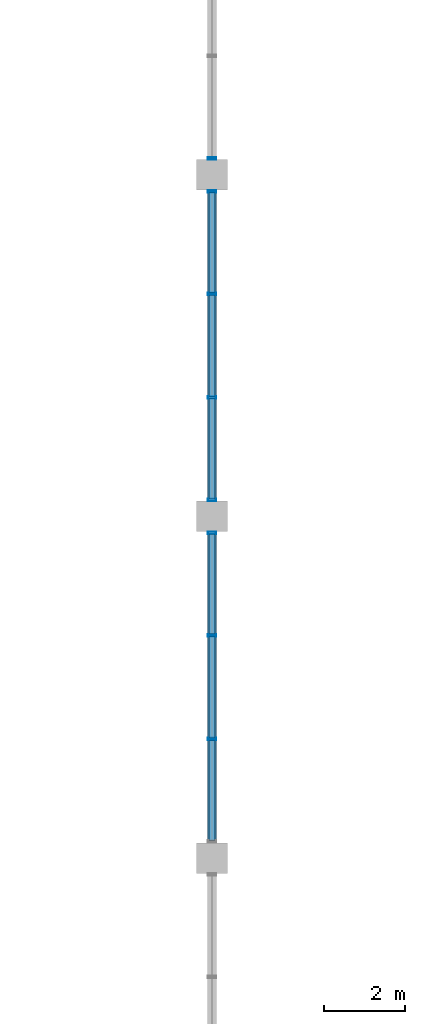
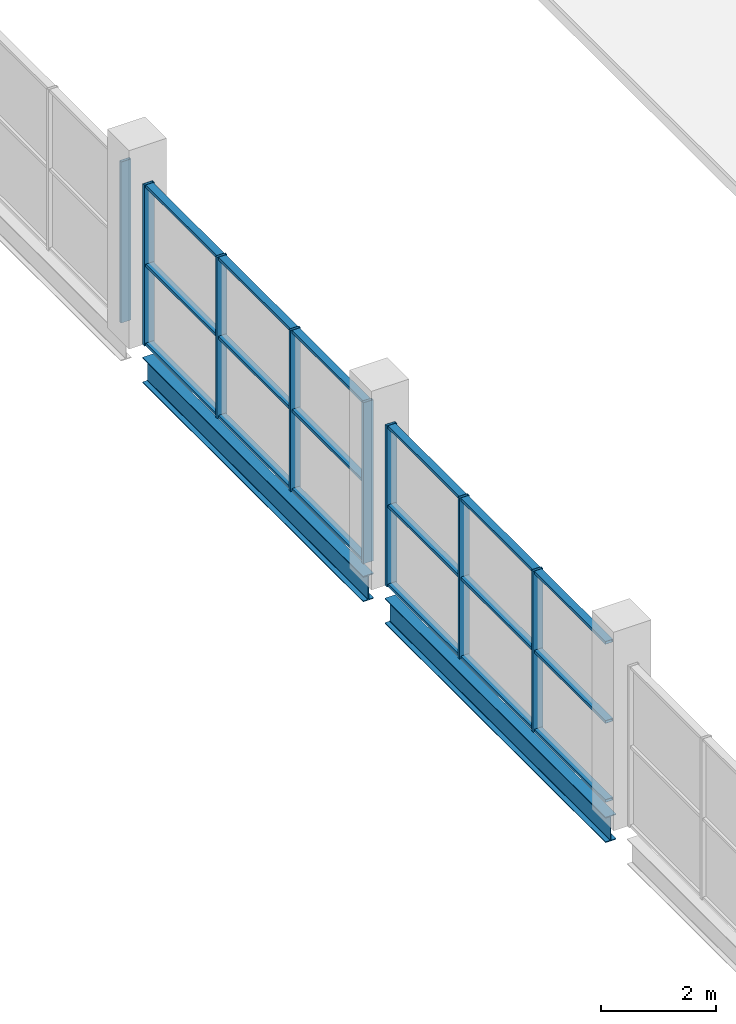
# One storey, part 30 of 93: 26 members, 2 beams, 3 elements without a shape of their own.
"""IFC4 building model written with IfcOpenShell, lengths in metres."""

from ifc_helpers import new_model, si_unit, direction, frame, origin, origin_2d, place, context, subcontext, project, spatial, hollow_rectangle, i_section, extrude, material, material_profile, profile_set, type_object, element, aggregate, save


model = new_model("IFC4")

# Units and contexts
model_context = context("Model", 3, precision=1e-05, world=origin(), true_north=direction((0.0, 1.0)))
body_context = subcontext(model_context, "Body", "Model", "MODEL_VIEW")
ifc_project = project(units=[si_unit("LENGTHUNIT", "METRE"), si_unit("AREAUNIT", "SQUARE_METRE"), si_unit("VOLUMEUNIT", "CUBIC_METRE"), si_unit("PLANEANGLEUNIT", "RADIAN"), si_unit("MASSUNIT", "GRAM", prefix="KILO"), si_unit("THERMODYNAMICTEMPERATUREUNIT", "KELVIN")], contexts=[model_context])

# Site, building, storey
site_placement = place(None, origin())
site = spatial("IfcSite", under=ifc_project, at=site_placement, CompositionType="ELEMENT")
building_placement = place(site_placement, origin())
building = spatial("IfcBuilding", under=site, at=building_placement, Name="Nduvali Passage Aquatics Centre", CompositionType="ELEMENT")
storey_placement = place(building_placement, frame((0.0, 0.0, 9.0)))
storey = spatial("IfcBuildingStorey", under=building, at=storey_placement, Name="L02", CompositionType="ELEMENT", Elevation=9.0)

# Curtain wall, members
ifc_material_1 = material(Name="Aluminium EN AW-6063 T6", Category="aluminium")
curtain_wall_type = type_object("IfcCurtainWallType", Name="ENV-CW-CLER", PredefinedType="NOTDEFINED", material=ifc_material_1)
curtain_wall_1_placement = place(storey_placement, origin())
curtain_wall_1 = element("IfcCurtainWall", 1, at=curtain_wall_1_placement, inside=storey, type_object=curtain_wall_type, Name="L02 East Passage Pool Hall Mid Clerestory 024", PredefinedType="NOTDEFINED")
ifc_material_profile_1 = material_profile(ifc_material_1, hollow_rectangle(XDim=0.06005859375, YDim=0.199951171875, WallThickness=0.00390625, at=origin_2d()), Name="ALU MULLION 60x200x4")
ifc_profile_set_1 = profile_set([ifc_material_profile_1], Name="Aluminium EN AW-6063 T6")
member_type_1 = type_object("IfcMemberType", Name="ENV-MEM-MUL80", PredefinedType="MULLION", material=ifc_profile_set_1)
member_1_placement = place(storey_placement, frame((126.0, 44.925048828125, 0.0), z_axis=(0.0, 0.0, 1.0), x_axis=(0.0, 1.0, 0.0)))
member_1 = element("IfcMember", 2, at=member_1_placement, type_object=member_type_1, Name="East Passage Pool Hall Mid Clerestory Mullion 2", PredefinedType="MULLION", context=body_context, shape_type="SweptSolid", body=[
    extrude(hollow_rectangle(XDim=0.06005859375, YDim=0.199951171875, WallThickness=0.00390625, at=origin_2d()), origin(), (0.0, 0.0, 1.0), 3.406494140625),
])
member_2_placement = place(storey_placement, frame((126.0, 47.47509765625, 0.0), z_axis=(0.0, 0.0, 1.0), x_axis=(0.0, 1.0, 0.0)))
member_2 = element("IfcMember", 3, at=member_2_placement, type_object=member_type_1, Name="East Passage Pool Hall Mid Clerestory Mullion 3", PredefinedType="MULLION", context=body_context, shape_type="SweptSolid", body=[
    extrude(hollow_rectangle(XDim=0.06005859375, YDim=0.199951171875, WallThickness=0.00390625, at=origin_2d()), origin(), (0.0, 0.0, 1.0), 3.406494140625),
])
member_3_placement = place(storey_placement, frame((126.0, 49.9951171875, 0.0), z_axis=(0.0, 0.0, 1.0), x_axis=(0.0, 1.0, 0.0)))
member_3 = element("IfcMember", 4, at=member_3_placement, type_object=member_type_1, Name="East Passage Pool Hall Mid Clerestory Mullion 4", PredefinedType="MULLION", context=body_context, shape_type="SweptSolid", body=[
    extrude(hollow_rectangle(XDim=0.06005859375, YDim=0.199951171875, WallThickness=0.00390625, at=origin_2d()), origin(), (0.0, 0.0, 1.0), 3.406494140625),
])

curtain_wall_2_placement = place(storey_placement, origin())
curtain_wall_2 = element("IfcCurtainWall", 5, at=curtain_wall_2_placement, inside=storey, type_object=curtain_wall_type, Name="L02 East Passage Pool Hall Mid Clerestory 028", PredefinedType="NOTDEFINED")
member_4_placement = place(storey_placement, frame((126.0, 50.804931640625, 0.0), z_axis=(0.0, 0.0, 1.0), x_axis=(0.0, 1.0, 0.0)))
member_4 = element("IfcMember", 6, at=member_4_placement, type_object=member_type_1, Name="East Passage Pool Hall Mid Clerestory Mullion 1", PredefinedType="MULLION", context=body_context, shape_type="SweptSolid", body=[
    extrude(hollow_rectangle(XDim=0.06005859375, YDim=0.199951171875, WallThickness=0.00390625, at=origin_2d()), origin(), (0.0, 0.0, 1.0), 3.406494140625),
])
member_5_placement = place(storey_placement, frame((126.0, 53.324951171875, 0.0), z_axis=(0.0, 0.0, 1.0), x_axis=(0.0, 1.0, 0.0)))
member_5 = element("IfcMember", 7, at=member_5_placement, type_object=member_type_1, Name="East Passage Pool Hall Mid Clerestory Mullion 2", PredefinedType="MULLION", context=body_context, shape_type="SweptSolid", body=[
    extrude(hollow_rectangle(XDim=0.06005859375, YDim=0.199951171875, WallThickness=0.00390625, at=origin_2d()), origin(), (0.0, 0.0, 1.0), 3.406494140625),
])
member_6_placement = place(storey_placement, frame((126.0, 55.875, 0.0), z_axis=(0.0, 0.0, 1.0), x_axis=(0.0, 1.0, 0.0)))
member_6 = element("IfcMember", 8, at=member_6_placement, type_object=member_type_1, Name="East Passage Pool Hall Mid Clerestory Mullion 3", PredefinedType="MULLION", context=body_context, shape_type="SweptSolid", body=[
    extrude(hollow_rectangle(XDim=0.06005859375, YDim=0.199951171875, WallThickness=0.00390625, at=origin_2d()), origin(), (0.0, 0.0, 1.0), 3.406494140625),
])
member_7_placement = place(storey_placement, frame((126.0, 58.39501953125, 0.0), z_axis=(0.0, 0.0, 1.0), x_axis=(0.0, 1.0, 0.0)))
member_7 = element("IfcMember", 9, at=member_7_placement, type_object=member_type_1, Name="East Passage Pool Hall Mid Clerestory Mullion 4", PredefinedType="MULLION", context=body_context, shape_type="SweptSolid", body=[
    extrude(hollow_rectangle(XDim=0.06005859375, YDim=0.199951171875, WallThickness=0.00390625, at=origin_2d()), origin(), (0.0, 0.0, 1.0), 3.406494140625),
])

# Curtain wall, member
curtain_wall_3_placement = place(storey_placement, origin())
curtain_wall_3 = element("IfcCurtainWall", 10, at=curtain_wall_3_placement, inside=storey, type_object=curtain_wall_type, Name="L02 East Passage Pool Hall Mid Clerestory 031", PredefinedType="NOTDEFINED")
member_8_placement = place(storey_placement, frame((126.0, 59.205078125, 0.0), z_axis=(0.0, 0.0, 1.0), x_axis=(0.0, 1.0, 0.0)))
member_8 = element("IfcMember", 11, at=member_8_placement, type_object=member_type_1, Name="East Passage Pool Hall Mid Clerestory Mullion 1", PredefinedType="MULLION", context=body_context, shape_type="SweptSolid", body=[
    extrude(hollow_rectangle(XDim=0.06005859375, YDim=0.199951171875, WallThickness=0.00390625, at=origin_2d()), origin(), (0.0, 0.0, 1.0), 3.406494140625),
])
aggregate(curtain_wall_3, [member_8])

# Member
ifc_material_profile_2 = material_profile(ifc_material_1, hollow_rectangle(XDim=0.14990234375, YDim=0.06005859375, WallThickness=0.00390625, at=origin_2d()), Name="ALU TRANSOM 150x60x4")
ifc_profile_set_2 = profile_set([ifc_material_profile_2], Name="Aluminium EN AW-6063 T6")
member_type_2 = type_object("IfcMemberType", Name="ENV-MEM-TRN80", PredefinedType="USERDEFINED", material=ifc_profile_set_2)
member_9_placement = place(storey_placement, frame((126.0, 42.43505859375, 0.030029296875), z_axis=(0.0, 1.0, 0.0), x_axis=(-1.0, 0.0, 0.0)))
member_9 = element("IfcMember", 12, at=member_9_placement, type_object=member_type_2, Name="East Passage Pool Hall Mid Clerestory Transom B1-R0", ObjectType="TRANSOM", PredefinedType="USERDEFINED", context=body_context, shape_type="SweptSolid", body=[
    extrude(hollow_rectangle(XDim=0.14990234375, YDim=0.06005859375, WallThickness=0.00390625, at=origin_2d()), origin(), (0.0, 0.0, 1.0), 2.4599609375),
])

member_10_placement = place(storey_placement, frame((126.0, 42.43505859375, 1.703125), z_axis=(0.0, 1.0, 0.0), x_axis=(-1.0, 0.0, 0.0)))
member_10 = element("IfcMember", 13, at=member_10_placement, type_object=member_type_2, Name="East Passage Pool Hall Mid Clerestory Transom B1-R1", ObjectType="TRANSOM", PredefinedType="USERDEFINED", context=body_context, shape_type="SweptSolid", body=[
    extrude(hollow_rectangle(XDim=0.14990234375, YDim=0.06005859375, WallThickness=0.00390625, at=origin_2d()), origin(), (0.0, 0.0, 1.0), 2.4599609375),
])

member_11_placement = place(storey_placement, frame((126.0, 42.43505859375, 3.37646484375), z_axis=(0.0, 1.0, 0.0), x_axis=(-1.0, 0.0, 0.0)))
member_11 = element("IfcMember", 14, at=member_11_placement, type_object=member_type_2, Name="East Passage Pool Hall Mid Clerestory Transom B1-R2", ObjectType="TRANSOM", PredefinedType="USERDEFINED", context=body_context, shape_type="SweptSolid", body=[
    extrude(hollow_rectangle(XDim=0.14990234375, YDim=0.06005859375, WallThickness=0.00390625, at=origin_2d()), origin(), (0.0, 0.0, 1.0), 2.4599609375),
])

member_12_placement = place(storey_placement, frame((126.0, 44.955078125, 0.030029296875), z_axis=(0.0, 1.0, 0.0), x_axis=(-1.0, 0.0, 0.0)))
member_12 = element("IfcMember", 15, at=member_12_placement, type_object=member_type_2, Name="East Passage Pool Hall Mid Clerestory Transom B2-R0", ObjectType="TRANSOM", PredefinedType="USERDEFINED", context=body_context, shape_type="SweptSolid", body=[
    extrude(hollow_rectangle(XDim=0.14990234375, YDim=0.06005859375, WallThickness=0.00390625, at=origin_2d()), origin(), (0.0, 0.0, 1.0), 2.489990234375),
])

member_13_placement = place(storey_placement, frame((126.0, 44.955078125, 1.703125), z_axis=(0.0, 1.0, 0.0), x_axis=(-1.0, 0.0, 0.0)))
member_13 = element("IfcMember", 16, at=member_13_placement, type_object=member_type_2, Name="East Passage Pool Hall Mid Clerestory Transom B2-R1", ObjectType="TRANSOM", PredefinedType="USERDEFINED", context=body_context, shape_type="SweptSolid", body=[
    extrude(hollow_rectangle(XDim=0.14990234375, YDim=0.06005859375, WallThickness=0.00390625, at=origin_2d()), origin(), (0.0, 0.0, 1.0), 2.489990234375),
])

member_14_placement = place(storey_placement, frame((126.0, 44.955078125, 3.37646484375), z_axis=(0.0, 1.0, 0.0), x_axis=(-1.0, 0.0, 0.0)))
member_14 = element("IfcMember", 17, at=member_14_placement, type_object=member_type_2, Name="East Passage Pool Hall Mid Clerestory Transom B2-R2", ObjectType="TRANSOM", PredefinedType="USERDEFINED", context=body_context, shape_type="SweptSolid", body=[
    extrude(hollow_rectangle(XDim=0.14990234375, YDim=0.06005859375, WallThickness=0.00390625, at=origin_2d()), origin(), (0.0, 0.0, 1.0), 2.489990234375),
])

member_15_placement = place(storey_placement, frame((126.0, 47.5048828125, 0.030029296875), z_axis=(0.0, 1.0, 0.0), x_axis=(-1.0, 0.0, 0.0)))
member_15 = element("IfcMember", 18, at=member_15_placement, type_object=member_type_2, Name="East Passage Pool Hall Mid Clerestory Transom B3-R0", ObjectType="TRANSOM", PredefinedType="USERDEFINED", context=body_context, shape_type="SweptSolid", body=[
    extrude(hollow_rectangle(XDim=0.14990234375, YDim=0.06005859375, WallThickness=0.00390625, at=origin_2d()), origin(), (0.0, 0.0, 1.0), 2.460205078125),
])

member_16_placement = place(storey_placement, frame((126.0, 47.5048828125, 1.703125), z_axis=(0.0, 1.0, 0.0), x_axis=(-1.0, 0.0, 0.0)))
member_16 = element("IfcMember", 19, at=member_16_placement, type_object=member_type_2, Name="East Passage Pool Hall Mid Clerestory Transom B3-R1", ObjectType="TRANSOM", PredefinedType="USERDEFINED", context=body_context, shape_type="SweptSolid", body=[
    extrude(hollow_rectangle(XDim=0.14990234375, YDim=0.06005859375, WallThickness=0.00390625, at=origin_2d()), origin(), (0.0, 0.0, 1.0), 2.460205078125),
])

member_17_placement = place(storey_placement, frame((126.0, 47.5048828125, 3.37646484375), z_axis=(0.0, 1.0, 0.0), x_axis=(-1.0, 0.0, 0.0)))
member_17 = element("IfcMember", 20, at=member_17_placement, type_object=member_type_2, Name="East Passage Pool Hall Mid Clerestory Transom B3-R2", ObjectType="TRANSOM", PredefinedType="USERDEFINED", context=body_context, shape_type="SweptSolid", body=[
    extrude(hollow_rectangle(XDim=0.14990234375, YDim=0.06005859375, WallThickness=0.00390625, at=origin_2d()), origin(), (0.0, 0.0, 1.0), 2.460205078125),
])

aggregate(curtain_wall_1, [member_1, member_2, member_3, member_9, member_10, member_11, member_12, member_13, member_14, member_15, member_16, member_17])

member_18_placement = place(storey_placement, frame((126.0, 50.8349609375, 0.030029296875), z_axis=(0.0, 1.0, 0.0), x_axis=(-1.0, 0.0, 0.0)))
member_18 = element("IfcMember", 21, at=member_18_placement, type_object=member_type_2, Name="East Passage Pool Hall Mid Clerestory Transom B1-R0", ObjectType="TRANSOM", PredefinedType="USERDEFINED", context=body_context, shape_type="SweptSolid", body=[
    extrude(hollow_rectangle(XDim=0.14990234375, YDim=0.06005859375, WallThickness=0.00390625, at=origin_2d()), origin(), (0.0, 0.0, 1.0), 2.4599609375),
])

member_19_placement = place(storey_placement, frame((126.0, 50.8349609375, 1.703125), z_axis=(0.0, 1.0, 0.0), x_axis=(-1.0, 0.0, 0.0)))
member_19 = element("IfcMember", 22, at=member_19_placement, type_object=member_type_2, Name="East Passage Pool Hall Mid Clerestory Transom B1-R1", ObjectType="TRANSOM", PredefinedType="USERDEFINED", context=body_context, shape_type="SweptSolid", body=[
    extrude(hollow_rectangle(XDim=0.14990234375, YDim=0.06005859375, WallThickness=0.00390625, at=origin_2d()), origin(), (0.0, 0.0, 1.0), 2.4599609375),
])

member_20_placement = place(storey_placement, frame((126.0, 50.8349609375, 3.37646484375), z_axis=(0.0, 1.0, 0.0), x_axis=(-1.0, 0.0, 0.0)))
member_20 = element("IfcMember", 23, at=member_20_placement, type_object=member_type_2, Name="East Passage Pool Hall Mid Clerestory Transom B1-R2", ObjectType="TRANSOM", PredefinedType="USERDEFINED", context=body_context, shape_type="SweptSolid", body=[
    extrude(hollow_rectangle(XDim=0.14990234375, YDim=0.06005859375, WallThickness=0.00390625, at=origin_2d()), origin(), (0.0, 0.0, 1.0), 2.4599609375),
])

member_21_placement = place(storey_placement, frame((126.0, 53.35498046875, 0.030029296875), z_axis=(0.0, 1.0, 0.0), x_axis=(-1.0, 0.0, 0.0)))
member_21 = element("IfcMember", 24, at=member_21_placement, type_object=member_type_2, Name="East Passage Pool Hall Mid Clerestory Transom B2-R0", ObjectType="TRANSOM", PredefinedType="USERDEFINED", context=body_context, shape_type="SweptSolid", body=[
    extrude(hollow_rectangle(XDim=0.14990234375, YDim=0.06005859375, WallThickness=0.00390625, at=origin_2d()), origin(), (0.0, 0.0, 1.0), 2.489990234375),
])

member_22_placement = place(storey_placement, frame((126.0, 53.35498046875, 1.703125), z_axis=(0.0, 1.0, 0.0), x_axis=(-1.0, 0.0, 0.0)))
member_22 = element("IfcMember", 25, at=member_22_placement, type_object=member_type_2, Name="East Passage Pool Hall Mid Clerestory Transom B2-R1", ObjectType="TRANSOM", PredefinedType="USERDEFINED", context=body_context, shape_type="SweptSolid", body=[
    extrude(hollow_rectangle(XDim=0.14990234375, YDim=0.06005859375, WallThickness=0.00390625, at=origin_2d()), origin(), (0.0, 0.0, 1.0), 2.489990234375),
])

member_23_placement = place(storey_placement, frame((126.0, 53.35498046875, 3.37646484375), z_axis=(0.0, 1.0, 0.0), x_axis=(-1.0, 0.0, 0.0)))
member_23 = element("IfcMember", 26, at=member_23_placement, type_object=member_type_2, Name="East Passage Pool Hall Mid Clerestory Transom B2-R2", ObjectType="TRANSOM", PredefinedType="USERDEFINED", context=body_context, shape_type="SweptSolid", body=[
    extrude(hollow_rectangle(XDim=0.14990234375, YDim=0.06005859375, WallThickness=0.00390625, at=origin_2d()), origin(), (0.0, 0.0, 1.0), 2.489990234375),
])

member_24_placement = place(storey_placement, frame((126.0, 55.905029296875, 0.030029296875), z_axis=(0.0, 1.0, 0.0), x_axis=(-1.0, 0.0, 0.0)))
member_24 = element("IfcMember", 27, at=member_24_placement, type_object=member_type_2, Name="East Passage Pool Hall Mid Clerestory Transom B3-R0", ObjectType="TRANSOM", PredefinedType="USERDEFINED", context=body_context, shape_type="SweptSolid", body=[
    extrude(hollow_rectangle(XDim=0.14990234375, YDim=0.06005859375, WallThickness=0.00390625, at=origin_2d()), origin(), (0.0, 0.0, 1.0), 2.4599609375),
])

member_25_placement = place(storey_placement, frame((126.0, 55.905029296875, 1.703125), z_axis=(0.0, 1.0, 0.0), x_axis=(-1.0, 0.0, 0.0)))
member_25 = element("IfcMember", 28, at=member_25_placement, type_object=member_type_2, Name="East Passage Pool Hall Mid Clerestory Transom B3-R1", ObjectType="TRANSOM", PredefinedType="USERDEFINED", context=body_context, shape_type="SweptSolid", body=[
    extrude(hollow_rectangle(XDim=0.14990234375, YDim=0.06005859375, WallThickness=0.00390625, at=origin_2d()), origin(), (0.0, 0.0, 1.0), 2.4599609375),
])

member_26_placement = place(storey_placement, frame((126.0, 55.905029296875, 3.37646484375), z_axis=(0.0, 1.0, 0.0), x_axis=(-1.0, 0.0, 0.0)))
member_26 = element("IfcMember", 29, at=member_26_placement, type_object=member_type_2, Name="East Passage Pool Hall Mid Clerestory Transom B3-R2", ObjectType="TRANSOM", PredefinedType="USERDEFINED", context=body_context, shape_type="SweptSolid", body=[
    extrude(hollow_rectangle(XDim=0.14990234375, YDim=0.06005859375, WallThickness=0.00390625, at=origin_2d()), origin(), (0.0, 0.0, 1.0), 2.4599609375),
])

aggregate(curtain_wall_2, [member_4, member_5, member_6, member_7, member_18, member_19, member_20, member_21, member_22, member_23, member_24, member_25, member_26])

# Beams
ifc_material_2 = material(Name="Steel S355", Category="steel")
ifc_material_profile_3 = material_profile(ifc_material_2, i_section(OverallWidth=0.210693359375, OverallDepth=0.53955078125, WebThickness=0.01171875, FlangeThickness=0.018798828125, FilletRadius=0.0126953125, at=origin_2d()), Name="UKB 533x210x109")
ifc_profile_set_3 = profile_set([ifc_material_profile_3], Name="Steel S355")
beam_type = type_object("IfcBeamType", Name="STR-BM-UKB533-EXT", PredefinedType="BEAM", material=ifc_profile_set_3)
beam_1_placement = place(storey_placement, frame((126.0, 42.375, -0.53369140625), z_axis=(0.0, 1.0, 0.0), x_axis=(-1.0, 0.0, 0.0)))
element("IfcBeam", 30, at=beam_1_placement, inside=storey, type_object=beam_type, Name="L02 Primary Y-Girder B6E-1012", PredefinedType="BEAM", context=body_context, shape_type="SweptSolid", body=[
    extrude(i_section(OverallWidth=0.210693359375, OverallDepth=0.53955078125, WebThickness=0.01171875, FlangeThickness=0.018798828125, FilletRadius=0.0126953125, at=origin_2d()), origin(), (0.0, 0.0, 1.0), 7.64990234375),
])
beam_2_placement = place(storey_placement, frame((126.0, 50.77490234375, -0.53369140625), z_axis=(0.0, 1.0, 0.0), x_axis=(-1.0, 0.0, 0.0)))
element("IfcBeam", 31, at=beam_2_placement, inside=storey, type_object=beam_type, Name="L02 Primary Y-Girder B6E-1013", PredefinedType="BEAM", context=body_context, shape_type="SweptSolid", body=[
    extrude(i_section(OverallWidth=0.210693359375, OverallDepth=0.53955078125, WebThickness=0.01171875, FlangeThickness=0.018798828125, FilletRadius=0.0126953125, at=origin_2d()), origin(), (0.0, 0.0, 1.0), 7.650146484375),
])

save(model, "model.ifc")
